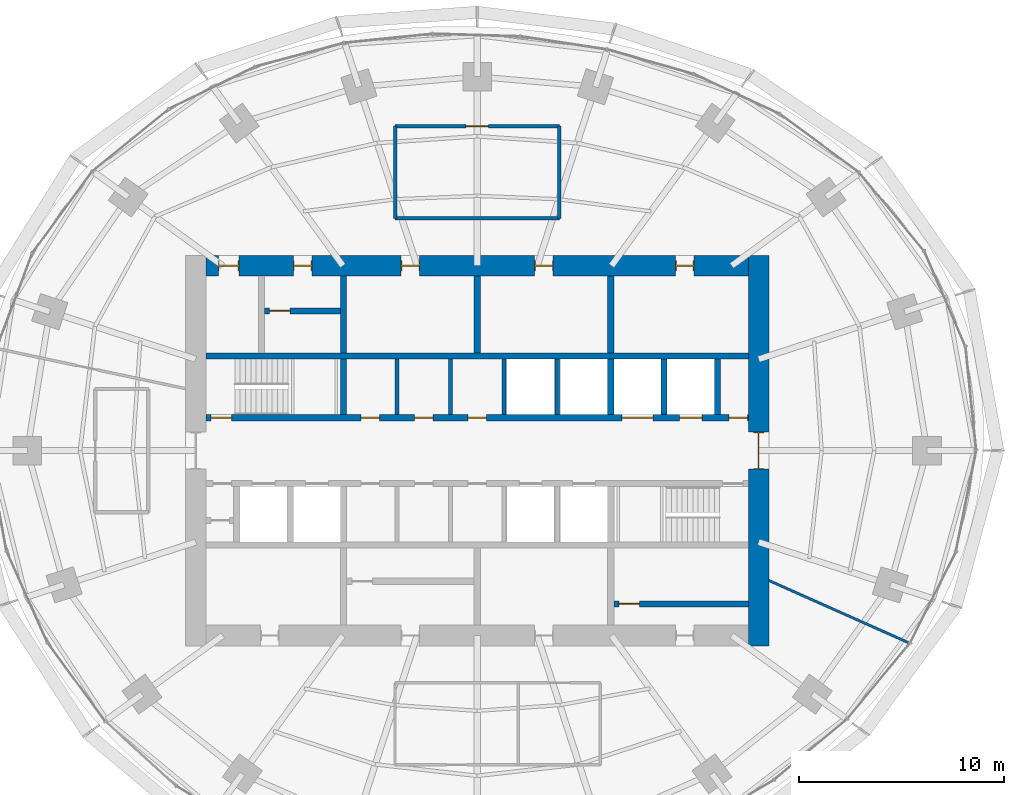
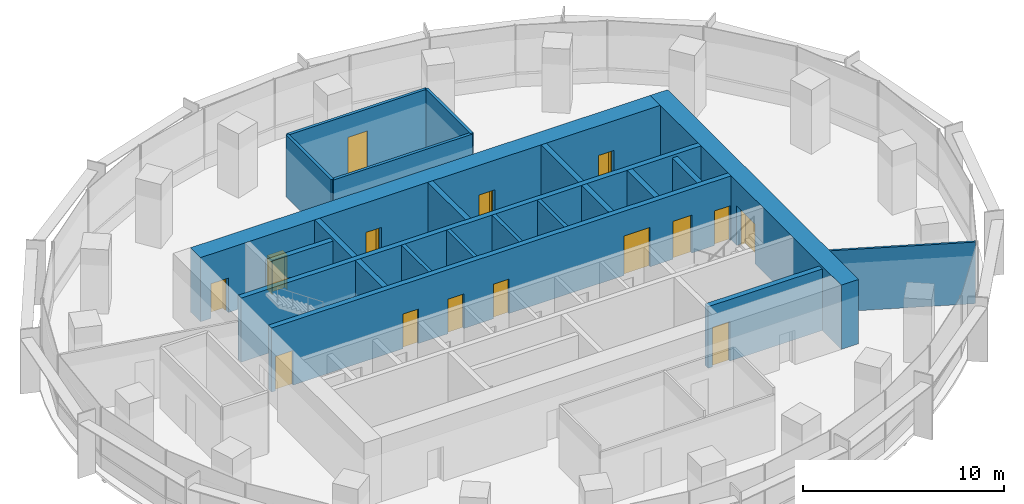
# One storey, part 11 of 14: 22 walls, 16 doors, 16 openings.
"""IFC4 building model written with IfcOpenShell, lengths in metres."""

from ifc_helpers import new_model, si_unit, direction, frame, frame_2d, origin, place, context, subcontext, project, spatial, rectangle, extrude, material, layer, layer_set, type_object, element, fill, save


model = new_model("IFC4")

# Units and contexts
model_context = context("Model", 3, precision=1e-05, world=origin(), true_north=direction((0.0, 1.0)))
body_context = subcontext(model_context, "Body", "Model", "MODEL_VIEW")
ifc_project = project(units=[si_unit("LENGTHUNIT", "METRE"), si_unit("AREAUNIT", "SQUARE_METRE"), si_unit("VOLUMEUNIT", "CUBIC_METRE"), si_unit("PLANEANGLEUNIT", "RADIAN"), si_unit("MASSUNIT", "GRAM", prefix="KILO")], contexts=[model_context])

# Site, building, storey
site_placement = place(None, origin())
site = spatial("IfcSite", under=ifc_project, at=site_placement, CompositionType="ELEMENT")
building_placement = place(site_placement, origin())
building = spatial("IfcBuilding", under=site, at=building_placement, Name="Marramba Exchange Tower", CompositionType="ELEMENT")
storey_placement = place(building_placement, frame((0.0, 0.0, 222.800048828125)))
storey = spatial("IfcBuildingStorey", under=building, at=storey_placement, Name="L54", CompositionType="ELEMENT", Elevation=222.800048828125)

# Wall
ifc_material_1 = material(Name="Plasterboard on staggered double steel studs, acoustic insulation", Category="steel")
ifc_layer_1 = layer(ifc_material_1, 0.169921875)
ifc_layer_set_1 = layer_set([ifc_layer_1], Name="Acoustic partition 170")
wall_type_1 = type_object("IfcWallType", Name="Acoustic partition 170", PredefinedType="PARTITIONING", material=ifc_layer_set_1)
wall_1_placement = place(storey_placement, frame((4.0, 15.800048828125, 0.0), z_axis=(0.0, 0.0, 1.0), x_axis=(0.0, -1.0, 0.0)))
element("IfcWall", 1, at=wall_1_placement, inside=storey, type_object=wall_type_1, Name="Acoustic partition L54 08", PredefinedType="PARTITIONING", context=body_context, shape_type="SweptSolid", body=[
    extrude(rectangle(XDim=4.5, YDim=0.169921875, at=frame_2d((2.25, 0.0))), origin(), (0.0, 0.0, 1.0), 3.739990234375),
])

# Wall, opening, door
wall_2_placement = place(storey_placement, frame((-4.0, 15.800048828125, 0.0), z_axis=(0.0, 0.0, 1.0), x_axis=(1.0, 0.0, 0.0)))
wall_2 = element("IfcWall", 2, at=wall_2_placement, inside=storey, type_object=wall_type_1, Name="Acoustic partition L54 09", PredefinedType="PARTITIONING", context=body_context, shape_type="SweptSolid", body=[
    extrude(rectangle(XDim=8.0, YDim=0.169921875, at=frame_2d((4.0, 0.0))), origin(), (0.0, 0.0, 1.0), 3.739990234375),
])
opening_1_placement = place(wall_2_placement, frame((3.449951171875, 0.0, 0.0)))
opening_1 = element("IfcOpeningElement", 3, at=opening_1_placement, cuts=wall_2, Name="Opening D15", PredefinedType="OPENING", context=body_context, shape_type="SweptSolid", body=[
    extrude(rectangle(XDim=1.10009765625, YDim=2.39990234375, at=frame_2d((0.550048828125, 1.199951171875))), frame((0.0, 0.094970703125, 0.0), z_axis=(0.0, -1.0, 0.0), x_axis=(1.0, 0.0, 0.0)), (0.0, 0.0, 1.0), 0.18994140625),
])
ifc_material_2 = material(Name="Timber door", Category="wood")
door_type_1 = type_object("IfcDoorType", Name="Glazed meeting room door 1100x2400", OperationType="SINGLE_SWING_LEFT", PredefinedType="DOOR", material=ifc_material_2)
door_1_placement = place(opening_1_placement, frame((1.10009765625, 0.0, 0.0), z_axis=(0.0, 0.0, 1.0), x_axis=(-1.0, 0.0, 0.0)))
door_1 = element("IfcDoor", 4, at=door_1_placement, inside=storey, type_object=door_type_1, Name="D15 Meeting Room L54", OperationType="SINGLE_SWING_RIGHT", OverallHeight=2.39990234375, OverallWidth=1.10009765625, PredefinedType="DOOR", context=body_context, shape_type="SweptSolid", body=[
    extrude(rectangle(XDim=1.10009765625, YDim=2.39990234375, at=frame_2d((0.550048828125, 1.199951171875))), frame((0.0, 0.025146484375, 0.0), z_axis=(0.0, -1.0, 0.0), x_axis=(1.0, 0.0, 0.0)), (0.0, 0.0, 1.0), 0.050048828125),
])
fill(opening_1, door_1)

# Walls
wall_3_placement = place(storey_placement, frame((4.0, 11.300048828125, 0.0), z_axis=(0.0, 0.0, 1.0), x_axis=(-1.0, 0.0, 0.0)))
element("IfcWall", 5, at=wall_3_placement, inside=storey, type_object=wall_type_1, Name="Acoustic partition L54 10", PredefinedType="PARTITIONING", context=body_context, shape_type="SweptSolid", body=[
    extrude(rectangle(XDim=8.0, YDim=0.169921875, at=frame_2d((4.0, 0.0))), origin(), (0.0, 0.0, 1.0), 3.739990234375),
])
wall_4_placement = place(storey_placement, frame((-4.0, 11.300048828125, 0.0), z_axis=(0.0, 0.0, 1.0), x_axis=(0.0, 1.0, 0.0)))
element("IfcWall", 6, at=wall_4_placement, inside=storey, type_object=wall_type_1, Name="Acoustic partition L54 11", PredefinedType="PARTITIONING", context=body_context, shape_type="SweptSolid", body=[
    extrude(rectangle(XDim=4.5, YDim=0.169921875, at=frame_2d((2.25, 0.0))), origin(), (0.0, 0.0, 1.0), 3.739990234375),
])
ifc_material_3 = material(Name="Concrete N50", Category="concrete")
ifc_layer_2 = layer(ifc_material_3, 0.199951171875)
ifc_layer_set_2 = layer_set([ifc_layer_2], Name="Core shaft wall 200")
wall_type_2 = type_object("IfcWallType", Name="Core shaft wall 200", PredefinedType="SHEAR", material=ifc_layer_set_2)
for number, where, z_axis, x_axis, name in (
    (7, (-3.89990234375, 1.75, 0.0), (0.0, 0.0, 1.0), (0.0, 1.0, 0.0), "Core wall SHN1 L54"),
    (8, (-1.300048828125, 1.75, 0.0), (0.0, 0.0, 1.0), (0.0, 1.0, 0.0), "Core wall SHN2 L54"),
    (9, (1.300048828125, 1.75, 0.0), (0.0, 0.0, 1.0), (0.0, 1.0, 0.0), "Core wall SHN3 L54"),
    (10, (3.89990234375, 1.75, 0.0), (0.0, 0.0, 1.0), (0.0, 1.0, 0.0), "Core wall SHN4 L54"),
):
    element("IfcWall", number, at=place(storey_placement, frame(where, z_axis=z_axis, x_axis=x_axis)), inside=storey, type_object=wall_type_2, Name=name, PredefinedType="SHEAR", context=body_context, shape_type="SweptSolid", body=[
        extrude(rectangle(XDim=2.699951171875, YDim=0.199951171875, at=frame_2d((1.35009765625, 0.0))), origin(), (0.0, 0.0, 1.0), 3.89990234375),
    ])

# Wall, openings, doors
ifc_layer_3 = layer(ifc_material_3, 1.0)
ifc_layer_set_3 = layer_set([ifc_layer_3], Name="Core wall 1000")
wall_type_3 = type_object("IfcWallType", Name="Core wall 1000", PredefinedType="SHEAR", material=ifc_layer_set_3)
wall_5_placement = place(storey_placement, frame((13.199951171875, 9.0, 0.0), z_axis=(0.0, 0.0, 1.0), x_axis=(-1.0, 0.0, 0.0)))
wall_5 = element("IfcWall", 11, at=wall_5_placement, inside=storey, type_object=wall_type_3, Name="Core wall N L54", PredefinedType="SHEAR", context=body_context, shape_type="SweptSolid", body=[
    extrude(rectangle(XDim=26.39990234375, YDim=1.0, at=frame_2d((13.199951171875, 0.0))), origin(), (0.0, 0.0, 1.0), 3.89990234375),
])
opening_2_placement = place(wall_5_placement, frame((2.64990234375, 0.0, 0.0)))
opening_2 = element("IfcOpeningElement", 12, at=opening_2_placement, cuts=wall_5, Name="Opening D5", PredefinedType="OPENING", context=body_context, shape_type="SweptSolid", body=[
    extrude(rectangle(XDim=0.89990234375, YDim=2.10009765625, at=frame_2d((0.449951171875, 1.050048828125))), frame((0.0, 0.510009765625, 0.0), z_axis=(0.0, -1.0, 0.0), x_axis=(1.0, 0.0, 0.0)), (0.0, 0.0, 1.0), 1.02001953125),
])
opening_3_placement = place(wall_5_placement, frame((9.5, 0.0, 0.0)))
opening_3 = element("IfcOpeningElement", 13, at=opening_3_placement, cuts=wall_5, Name="Opening D3", PredefinedType="OPENING", context=body_context, shape_type="SweptSolid", body=[
    extrude(rectangle(XDim=0.89990234375, YDim=2.10009765625, at=frame_2d((0.449951171875, 1.050048828125))), frame((0.0, 0.510009765625, 0.0), z_axis=(0.0, -1.0, 0.0), x_axis=(1.0, 0.0, 0.0)), (0.0, 0.0, 1.0), 1.02001953125),
])
opening_4_placement = place(wall_5_placement, frame((16.0, 0.0, 0.0)))
opening_4 = element("IfcOpeningElement", 14, at=opening_4_placement, cuts=wall_5, Name="Opening D3", PredefinedType="OPENING", context=body_context, shape_type="SweptSolid", body=[
    extrude(rectangle(XDim=0.89990234375, YDim=2.10009765625, at=frame_2d((0.449951171875, 1.050048828125))), frame((0.0, 0.510009765625, 0.0), z_axis=(0.0, -1.0, 0.0), x_axis=(1.0, 0.0, 0.0)), (0.0, 0.0, 1.0), 1.02001953125),
])
opening_5_placement = place(wall_5_placement, frame((21.25, 0.0, 0.0)))
opening_5 = element("IfcOpeningElement", 15, at=opening_5_placement, cuts=wall_5, Name="Opening D5", PredefinedType="OPENING", context=body_context, shape_type="SweptSolid", body=[
    extrude(rectangle(XDim=0.89990234375, YDim=2.10009765625, at=frame_2d((0.449951171875, 1.050048828125))), frame((0.0, 0.510009765625, 0.0), z_axis=(0.0, -1.0, 0.0), x_axis=(1.0, 0.0, 0.0)), (0.0, 0.0, 1.0), 1.02001953125),
])
opening_6_placement = place(wall_5_placement, frame((24.800048828125, 0.0, 0.0)))
opening_6 = element("IfcOpeningElement", 16, at=opening_6_placement, cuts=wall_5, Name="Opening D4", PredefinedType="OPENING", context=body_context, shape_type="SweptSolid", body=[
    extrude(rectangle(XDim=1.0, YDim=2.10009765625, at=frame_2d((0.5, 1.050048828125))), frame((0.0, 0.510009765625, 0.0), z_axis=(0.0, -1.0, 0.0), x_axis=(1.0, 0.0, 0.0)), (0.0, 0.0, 1.0), 1.02001953125),
])
ifc_material_4 = material(Name="Steel-framed door", Category="steel")
door_type_2 = type_object("IfcDoorType", Name="Accessible toilet door 1000x2100", OperationType="SINGLE_SWING_LEFT", PredefinedType="DOOR", material=ifc_material_4)
door_2_placement = place(opening_6_placement, origin())
door_2 = element("IfcDoor", 17, at=door_2_placement, inside=storey, type_object=door_type_2, Name="D4 awc L54", OperationType="SINGLE_SWING_RIGHT", OverallHeight=2.10009765625, OverallWidth=1.0, PredefinedType="DOOR", context=body_context, shape_type="SweptSolid", body=[
    extrude(rectangle(XDim=0.919921875, YDim=2.06005859375, at=frame_2d((0.5, 1.030029296875))), frame((0.0, 0.02490234375, 0.0), z_axis=(0.0, -1.0, 0.0), x_axis=(1.0, 0.0, 0.0)), (0.0, 0.0, 1.0), 0.050048828125),
    extrude(rectangle(XDim=0.04, YDim=2.10009765625, at=frame_2d((0.02001953125, 1.050048828125))), frame((0.0, 0.25, 0.0), z_axis=(0.0, -1.0, 0.0), x_axis=(1.0, 0.0, 0.0)), (0.0, 0.0, 1.0), 0.5),
    extrude(rectangle(XDim=0.04, YDim=2.10009765625, at=frame_2d((0.97998046875, 1.050048828125))), frame((0.0, 0.25, 0.0), z_axis=(0.0, -1.0, 0.0), x_axis=(1.0, 0.0, 0.0)), (0.0, 0.0, 1.0), 0.5),
    extrude(rectangle(XDim=0.919921875, YDim=0.04, at=frame_2d((0.5, 2.080078125))), frame((0.0, 0.25, 0.0), z_axis=(0.0, -1.0, 0.0), x_axis=(1.0, 0.0, 0.0)), (0.0, 0.0, 1.0), 0.5),
])
fill(opening_6, door_2)
door_type_3 = type_object("IfcDoorType", Name="Service door 900x2100", OperationType="SINGLE_SWING_LEFT", PredefinedType="DOOR", material=ifc_material_4)
door_3_placement = place(opening_2_placement, origin())
door_3 = element("IfcDoor", 18, at=door_3_placement, inside=storey, type_object=door_type_3, Name="D5 comms L54", OperationType="SINGLE_SWING_LEFT", OverallHeight=2.10009765625, OverallWidth=0.89990234375, PredefinedType="DOOR", context=body_context, shape_type="SweptSolid", body=[
    extrude(rectangle(XDim=0.81982421875, YDim=2.06005859375, at=frame_2d((0.449951171875, 1.030029296875))), frame((0.0, 0.02490234375, 0.0), z_axis=(0.0, -1.0, 0.0), x_axis=(1.0, 0.0, 0.0)), (0.0, 0.0, 1.0), 0.050048828125),
    extrude(rectangle(XDim=0.04, YDim=2.10009765625, at=frame_2d((0.02001953125, 1.050048828125))), frame((0.0, 0.25, 0.0), z_axis=(0.0, -1.0, 0.0), x_axis=(1.0, 0.0, 0.0)), (0.0, 0.0, 1.0), 0.5),
    extrude(rectangle(XDim=0.04, YDim=2.10009765625, at=frame_2d((0.8798828125, 1.050048828125))), frame((0.0, 0.25, 0.0), z_axis=(0.0, -1.0, 0.0), x_axis=(1.0, 0.0, 0.0)), (0.0, 0.0, 1.0), 0.5),
    extrude(rectangle(XDim=0.81982421875, YDim=0.04, at=frame_2d((0.449951171875, 2.080078125))), frame((0.0, 0.25, 0.0), z_axis=(0.0, -1.0, 0.0), x_axis=(1.0, 0.0, 0.0)), (0.0, 0.0, 1.0), 0.5),
])
fill(opening_2, door_3)
door_4_placement = place(opening_5_placement, origin())
door_4 = element("IfcDoor", 19, at=door_4_placement, inside=storey, type_object=door_type_3, Name="D5 cleaner L54", OperationType="SINGLE_SWING_RIGHT", OverallHeight=2.10009765625, OverallWidth=0.89990234375, PredefinedType="DOOR", context=body_context, shape_type="SweptSolid", body=[
    extrude(rectangle(XDim=0.81982421875, YDim=2.06005859375, at=frame_2d((0.449951171875, 1.030029296875))), frame((0.0, 0.02490234375, 0.0), z_axis=(0.0, -1.0, 0.0), x_axis=(1.0, 0.0, 0.0)), (0.0, 0.0, 1.0), 0.050048828125),
    extrude(rectangle(XDim=0.04, YDim=2.10009765625, at=frame_2d((0.02001953125, 1.050048828125))), frame((0.0, 0.25, 0.0), z_axis=(0.0, -1.0, 0.0), x_axis=(1.0, 0.0, 0.0)), (0.0, 0.0, 1.0), 0.5),
    extrude(rectangle(XDim=0.04, YDim=2.10009765625, at=frame_2d((0.8798828125, 1.050048828125))), frame((0.0, 0.25, 0.0), z_axis=(0.0, -1.0, 0.0), x_axis=(1.0, 0.0, 0.0)), (0.0, 0.0, 1.0), 0.5),
    extrude(rectangle(XDim=0.81982421875, YDim=0.04, at=frame_2d((0.449951171875, 2.080078125))), frame((0.0, 0.25, 0.0), z_axis=(0.0, -1.0, 0.0), x_axis=(1.0, 0.0, 0.0)), (0.0, 0.0, 1.0), 0.5),
])
fill(opening_5, door_4)
door_type_4 = type_object("IfcDoorType", Name="Toilet door 900x2100", OperationType="SINGLE_SWING_LEFT", PredefinedType="DOOR", material=ifc_material_4)
door_5_placement = place(opening_3_placement, origin())
door_5 = element("IfcDoor", 20, at=door_5_placement, inside=storey, type_object=door_type_4, Name="D3 wc-f L54", OperationType="SINGLE_SWING_RIGHT", OverallHeight=2.10009765625, OverallWidth=0.89990234375, PredefinedType="DOOR", context=body_context, shape_type="SweptSolid", body=[
    extrude(rectangle(XDim=0.81982421875, YDim=2.06005859375, at=frame_2d((0.449951171875, 1.030029296875))), frame((0.0, 0.02490234375, 0.0), z_axis=(0.0, -1.0, 0.0), x_axis=(1.0, 0.0, 0.0)), (0.0, 0.0, 1.0), 0.050048828125),
    extrude(rectangle(XDim=0.04, YDim=2.10009765625, at=frame_2d((0.02001953125, 1.050048828125))), frame((0.0, 0.25, 0.0), z_axis=(0.0, -1.0, 0.0), x_axis=(1.0, 0.0, 0.0)), (0.0, 0.0, 1.0), 0.5),
    extrude(rectangle(XDim=0.04, YDim=2.10009765625, at=frame_2d((0.8798828125, 1.050048828125))), frame((0.0, 0.25, 0.0), z_axis=(0.0, -1.0, 0.0), x_axis=(1.0, 0.0, 0.0)), (0.0, 0.0, 1.0), 0.5),
    extrude(rectangle(XDim=0.81982421875, YDim=0.04, at=frame_2d((0.449951171875, 2.080078125))), frame((0.0, 0.25, 0.0), z_axis=(0.0, -1.0, 0.0), x_axis=(1.0, 0.0, 0.0)), (0.0, 0.0, 1.0), 0.5),
])
fill(opening_3, door_5)
door_6_placement = place(opening_4_placement, origin())
door_6 = element("IfcDoor", 21, at=door_6_placement, inside=storey, type_object=door_type_4, Name="D3 wc-m L54", OperationType="SINGLE_SWING_RIGHT", OverallHeight=2.10009765625, OverallWidth=0.89990234375, PredefinedType="DOOR", context=body_context, shape_type="SweptSolid", body=[
    extrude(rectangle(XDim=0.81982421875, YDim=2.06005859375, at=frame_2d((0.449951171875, 1.030029296875))), frame((0.0, 0.02490234375, 0.0), z_axis=(0.0, -1.0, 0.0), x_axis=(1.0, 0.0, 0.0)), (0.0, 0.0, 1.0), 0.050048828125),
    extrude(rectangle(XDim=0.04, YDim=2.10009765625, at=frame_2d((0.02001953125, 1.050048828125))), frame((0.0, 0.25, 0.0), z_axis=(0.0, -1.0, 0.0), x_axis=(1.0, 0.0, 0.0)), (0.0, 0.0, 1.0), 0.5),
    extrude(rectangle(XDim=0.04, YDim=2.10009765625, at=frame_2d((0.8798828125, 1.050048828125))), frame((0.0, 0.25, 0.0), z_axis=(0.0, -1.0, 0.0), x_axis=(1.0, 0.0, 0.0)), (0.0, 0.0, 1.0), 0.5),
    extrude(rectangle(XDim=0.81982421875, YDim=0.04, at=frame_2d((0.449951171875, 2.080078125))), frame((0.0, 0.25, 0.0), z_axis=(0.0, -1.0, 0.0), x_axis=(1.0, 0.0, 0.0)), (0.0, 0.0, 1.0), 0.5),
])
fill(opening_4, door_6)

# Wall, opening, door
wall_6_placement = place(storey_placement, frame((13.699951171875, -9.5, 0.0), z_axis=(0.0, 0.0, 1.0), x_axis=(0.0, 1.0, 0.0)))
wall_6 = element("IfcWall", 22, at=wall_6_placement, inside=storey, type_object=wall_type_3, Name="Core wall E L54", PredefinedType="SHEAR", context=body_context, shape_type="SweptSolid", body=[
    extrude(rectangle(XDim=19.0, YDim=1.0, at=frame_2d((9.5, 0.0))), origin(), (0.0, 0.0, 1.0), 3.89990234375),
])
opening_7_placement = place(wall_6_placement, frame((8.60009765625, 0.0, 0.0)))
opening_7 = element("IfcOpeningElement", 23, at=opening_7_placement, cuts=wall_6, Name="Opening D1", PredefinedType="OPENING", context=body_context, shape_type="SweptSolid", body=[
    extrude(rectangle(XDim=1.800048828125, YDim=2.39990234375, at=frame_2d((0.89990234375, 1.199951171875))), frame((0.0, 0.510009765625, 0.0), z_axis=(0.0, -1.0, 0.0), x_axis=(1.0, 0.0, 0.0)), (0.0, 0.0, 1.0), 1.02001953125),
])
door_type_5 = type_object("IfcDoorType", Name="Lobby exit door 1800x2400", OperationType="DOUBLE_DOOR_SINGLE_SWING", PredefinedType="DOOR", material=ifc_material_4)
door_7_placement = place(opening_7_placement, origin())
door_7 = element("IfcDoor", 24, at=door_7_placement, inside=storey, type_object=door_type_5, Name="D1 lobby exit east L54", OperationType="DOUBLE_DOOR_SINGLE_SWING", OverallHeight=2.39990234375, OverallWidth=1.800048828125, PredefinedType="DOOR", context=body_context, shape_type="SweptSolid", body=[
    extrude(rectangle(XDim=1.719970703125, YDim=2.35986328125, at=frame_2d((0.89990234375, 1.179931640625))), frame((0.0, 0.02490234375, 0.0), z_axis=(0.0, -1.0, 0.0), x_axis=(1.0, 0.0, 0.0)), (0.0, 0.0, 1.0), 0.050048828125),
    extrude(rectangle(XDim=0.04, YDim=2.39990234375, at=frame_2d((0.02001953125, 1.199951171875))), frame((0.0, 0.25, 0.0), z_axis=(0.0, -1.0, 0.0), x_axis=(1.0, 0.0, 0.0)), (0.0, 0.0, 1.0), 0.5),
    extrude(rectangle(XDim=0.04, YDim=2.39990234375, at=frame_2d((1.780029296875, 1.199951171875))), frame((0.0, 0.25, 0.0), z_axis=(0.0, -1.0, 0.0), x_axis=(1.0, 0.0, 0.0)), (0.0, 0.0, 1.0), 0.5),
    extrude(rectangle(XDim=1.719970703125, YDim=0.04, at=frame_2d((0.89990234375, 2.3798828125))), frame((0.0, 0.25, 0.0), z_axis=(0.0, -1.0, 0.0), x_axis=(1.0, 0.0, 0.0)), (0.0, 0.0, 1.0), 0.5),
])
fill(opening_7, door_7)

# Wall, openings, doors
ifc_layer_4 = layer(ifc_material_3, 0.300048828125)
ifc_layer_set_4 = layer_set([ifc_layer_4], Name="Core wall 300")
wall_type_4 = type_object("IfcWallType", Name="Core wall 300", PredefinedType="SHEAR", material=ifc_layer_set_4)
wall_7_placement = place(storey_placement, frame((-13.199951171875, 1.60009765625, 0.0), z_axis=(0.0, 0.0, 1.0), x_axis=(1.0, 0.0, 0.0)))
wall_7 = element("IfcWall", 25, at=wall_7_placement, inside=storey, type_object=wall_type_4, Name="Core wall LN L54", PredefinedType="SHEAR", context=body_context, shape_type="SweptSolid", body=[
    extrude(rectangle(XDim=26.39990234375, YDim=0.300048828125, at=frame_2d((13.199951171875, 0.0))), origin(), (0.0, 0.0, 1.0), 3.89990234375),
])
opening_8_placement = place(wall_7_placement, frame((0.25, 0.0, 0.0)))
opening_8 = element("IfcOpeningElement", 26, at=opening_8_placement, cuts=wall_7, Name="Opening D2", PredefinedType="OPENING", context=body_context, shape_type="SweptSolid", body=[
    extrude(rectangle(XDim=1.0, YDim=2.10009765625, at=frame_2d((0.5, 1.050048828125))), frame((0.0, 0.159912109375, 0.0), z_axis=(0.0, -1.0, 0.0), x_axis=(1.0, 0.0, 0.0)), (0.0, 0.0, 1.0), 0.320068359375),
])
opening_9_placement = place(wall_7_placement, frame((23.050048828125, 0.0, 0.0)))
opening_9 = element("IfcOpeningElement", 27, at=opening_9_placement, cuts=wall_7, Name="Opening LD1", PredefinedType="OPENING", context=body_context, shape_type="SweptSolid", body=[
    extrude(rectangle(XDim=1.10009765625, YDim=2.300048828125, at=frame_2d((0.550048828125, 1.14990234375))), frame((0.0, 0.159912109375, 0.0), z_axis=(0.0, -1.0, 0.0), x_axis=(1.0, 0.0, 0.0)), (0.0, 0.0, 1.0), 0.320068359375),
])
opening_10_placement = place(wall_7_placement, frame((20.25, 0.0, 0.0)))
opening_10 = element("IfcOpeningElement", 28, at=opening_10_placement, cuts=wall_7, Name="Opening LD3", PredefinedType="OPENING", context=body_context, shape_type="SweptSolid", body=[
    extrude(rectangle(XDim=1.5, YDim=2.39990234375, at=frame_2d((0.75, 1.199951171875))), frame((0.0, 0.159912109375, 0.0), z_axis=(0.0, -1.0, 0.0), x_axis=(1.0, 0.0, 0.0)), (0.0, 0.0, 1.0), 0.320068359375),
])
opening_11_placement = place(wall_7_placement, frame((7.550048828125, 0.0, 0.0)))
opening_11 = element("IfcOpeningElement", 29, at=opening_11_placement, cuts=wall_7, Name="Opening D5", PredefinedType="OPENING", context=body_context, shape_type="SweptSolid", body=[
    extrude(rectangle(XDim=0.89990234375, YDim=2.10009765625, at=frame_2d((0.449951171875, 1.050048828125))), frame((0.0, 0.159912109375, 0.0), z_axis=(0.0, -1.0, 0.0), x_axis=(1.0, 0.0, 0.0)), (0.0, 0.0, 1.0), 0.320068359375),
])
opening_12_placement = place(wall_7_placement, frame((10.14990234375, 0.0, 0.0)))
opening_12 = element("IfcOpeningElement", 30, at=opening_12_placement, cuts=wall_7, Name="Opening D5", PredefinedType="OPENING", context=body_context, shape_type="SweptSolid", body=[
    extrude(rectangle(XDim=0.89990234375, YDim=2.10009765625, at=frame_2d((0.449951171875, 1.050048828125))), frame((0.0, 0.159912109375, 0.0), z_axis=(0.0, -1.0, 0.0), x_axis=(1.0, 0.0, 0.0)), (0.0, 0.0, 1.0), 0.320068359375),
])
opening_13_placement = place(wall_7_placement, frame((12.75, 0.0, 0.0)))
opening_13 = element("IfcOpeningElement", 31, at=opening_13_placement, cuts=wall_7, Name="Opening D5", PredefinedType="OPENING", context=body_context, shape_type="SweptSolid", body=[
    extrude(rectangle(XDim=0.89990234375, YDim=2.10009765625, at=frame_2d((0.449951171875, 1.050048828125))), frame((0.0, 0.159912109375, 0.0), z_axis=(0.0, -1.0, 0.0), x_axis=(1.0, 0.0, 0.0)), (0.0, 0.0, 1.0), 0.320068359375),
])
opening_14_placement = place(wall_7_placement, frame((25.449951171875, 0.0, 0.0)))
opening_14 = element("IfcOpeningElement", 32, at=opening_14_placement, cuts=wall_7, Name="Opening D5", PredefinedType="OPENING", context=body_context, shape_type="SweptSolid", body=[
    extrude(rectangle(XDim=0.89990234375, YDim=2.10009765625, at=frame_2d((0.449951171875, 1.050048828125))), frame((0.0, 0.159912109375, 0.0), z_axis=(0.0, -1.0, 0.0), x_axis=(1.0, 0.0, 0.0)), (0.0, 0.0, 1.0), 0.320068359375),
])
door_type_6 = type_object("IfcDoorType", Name="Goods lift landing door 1500x2400", OperationType="SLIDING_TO_LEFT", PredefinedType="DOOR", material=ifc_material_4)
door_8_placement = place(opening_10_placement, origin())
door_8 = element("IfcDoor", 33, at=door_8_placement, inside=storey, type_object=door_type_6, Name="GL1 landing door L54", OperationType="SLIDING_TO_LEFT", OverallHeight=2.39990234375, OverallWidth=1.5, PredefinedType="DOOR", context=body_context, shape_type="SweptSolid", body=[
    extrude(rectangle(XDim=1.5, YDim=2.39990234375, at=frame_2d((0.75, 1.199951171875))), frame((0.0, 0.02490234375, 0.0), z_axis=(0.0, -1.0, 0.0), x_axis=(1.0, 0.0, 0.0)), (0.0, 0.0, 1.0), 0.050048828125),
])
fill(opening_10, door_8)
door_type_7 = type_object("IfcDoorType", Name="Lift landing door 1100x2300", OperationType="SLIDING_TO_LEFT", PredefinedType="DOOR", material=ifc_material_4)
door_9_placement = place(opening_9_placement, origin())
door_9 = element("IfcDoor", 34, at=door_9_placement, inside=storey, type_object=door_type_7, Name="LC3 landing door L54", OperationType="SLIDING_TO_LEFT", OverallHeight=2.300048828125, OverallWidth=1.10009765625, PredefinedType="DOOR", context=body_context, shape_type="SweptSolid", body=[
    extrude(rectangle(XDim=1.10009765625, YDim=2.300048828125, at=frame_2d((0.550048828125, 1.14990234375))), frame((0.0, 0.02490234375, 0.0), z_axis=(0.0, -1.0, 0.0), x_axis=(1.0, 0.0, 0.0)), (0.0, 0.0, 1.0), 0.050048828125),
])
fill(opening_9, door_9)
door_10_placement = place(opening_11_placement, origin())
door_10 = element("IfcDoor", 35, at=door_10_placement, inside=storey, type_object=door_type_3, Name="D5 stationery store L54", OperationType="SINGLE_SWING_RIGHT", OverallHeight=2.10009765625, OverallWidth=0.89990234375, PredefinedType="DOOR", context=body_context, shape_type="SweptSolid", body=[
    extrude(rectangle(XDim=0.89990234375, YDim=2.10009765625, at=frame_2d((0.449951171875, 1.050048828125))), frame((0.0, 0.02490234375, 0.0), z_axis=(0.0, -1.0, 0.0), x_axis=(1.0, 0.0, 0.0)), (0.0, 0.0, 1.0), 0.050048828125),
])
fill(opening_11, door_10)
door_11_placement = place(opening_12_placement, origin())
door_11 = element("IfcDoor", 36, at=door_11_placement, inside=storey, type_object=door_type_3, Name="D5 switch room L54", OperationType="SINGLE_SWING_RIGHT", OverallHeight=2.10009765625, OverallWidth=0.89990234375, PredefinedType="DOOR", context=body_context, shape_type="SweptSolid", body=[
    extrude(rectangle(XDim=0.89990234375, YDim=2.10009765625, at=frame_2d((0.449951171875, 1.050048828125))), frame((0.0, 0.02490234375, 0.0), z_axis=(0.0, -1.0, 0.0), x_axis=(1.0, 0.0, 0.0)), (0.0, 0.0, 1.0), 0.050048828125),
])
fill(opening_12, door_11)
door_12_placement = place(opening_13_placement, origin())
door_12 = element("IfcDoor", 37, at=door_12_placement, inside=storey, type_object=door_type_3, Name="D5 tea point L54", OperationType="SINGLE_SWING_RIGHT", OverallHeight=2.10009765625, OverallWidth=0.89990234375, PredefinedType="DOOR", context=body_context, shape_type="SweptSolid", body=[
    extrude(rectangle(XDim=0.89990234375, YDim=2.10009765625, at=frame_2d((0.449951171875, 1.050048828125))), frame((0.0, 0.02490234375, 0.0), z_axis=(0.0, -1.0, 0.0), x_axis=(1.0, 0.0, 0.0)), (0.0, 0.0, 1.0), 0.050048828125),
])
fill(opening_13, door_12)
door_13_placement = place(opening_14_placement, origin())
door_13 = element("IfcDoor", 38, at=door_13_placement, inside=storey, type_object=door_type_3, Name="D5 riser L54", OperationType="SINGLE_SWING_RIGHT", OverallHeight=2.10009765625, OverallWidth=0.89990234375, PredefinedType="DOOR", context=body_context, shape_type="SweptSolid", body=[
    extrude(rectangle(XDim=0.89990234375, YDim=2.10009765625, at=frame_2d((0.449951171875, 1.050048828125))), frame((0.0, 0.02490234375, 0.0), z_axis=(0.0, -1.0, 0.0), x_axis=(1.0, 0.0, 0.0)), (0.0, 0.0, 1.0), 0.050048828125),
])
fill(opening_14, door_13)
door_type_8 = type_object("IfcDoorType", Name="Stair door 1000x2100", OperationType="SINGLE_SWING_LEFT", PredefinedType="DOOR", material=ifc_material_4)
door_14_placement = place(opening_8_placement, origin())
door_14 = element("IfcDoor", 39, at=door_14_placement, inside=storey, type_object=door_type_8, Name="D2 stair ST1 L54", OperationType="SINGLE_SWING_LEFT", OverallHeight=2.10009765625, OverallWidth=1.0, PredefinedType="DOOR", context=body_context, shape_type="SweptSolid", body=[
    extrude(rectangle(XDim=1.0, YDim=2.10009765625, at=frame_2d((0.5, 1.050048828125))), frame((0.0, 0.02490234375, 0.0), z_axis=(0.0, -1.0, 0.0), x_axis=(1.0, 0.0, 0.0)), (0.0, 0.0, 1.0), 0.050048828125),
])
fill(opening_8, door_14)

# Walls
wall_8_placement = place(storey_placement, frame((-13.199951171875, 4.60009765625, 0.0), z_axis=(0.0, 0.0, 1.0), x_axis=(1.0, 0.0, 0.0)))
element("IfcWall", 40, at=wall_8_placement, inside=storey, type_object=wall_type_4, Name="Core wall BN L54", PredefinedType="SHEAR", context=body_context, shape_type="SweptSolid", body=[
    extrude(rectangle(XDim=26.39990234375, YDim=0.300048828125, at=frame_2d((13.199951171875, 0.0))), origin(), (0.0, 0.0, 1.0), 3.89990234375),
])
wall_9_placement = place(storey_placement, frame((-6.5, 1.75, 0.0), z_axis=(0.0, 0.0, 1.0), x_axis=(0.0, 1.0, 0.0)))
element("IfcWall", 41, at=wall_9_placement, inside=storey, type_object=wall_type_4, Name="Core wall X0Na L54", PredefinedType="SHEAR", context=body_context, shape_type="SweptSolid", body=[
    extrude(rectangle(XDim=2.699951171875, YDim=0.300048828125, at=frame_2d((1.35009765625, 0.0))), origin(), (0.0, 0.0, 1.0), 3.89990234375),
])
wall_10_placement = place(storey_placement, frame((-6.5, 4.75, 0.0), z_axis=(0.0, 0.0, 1.0), x_axis=(0.0, 1.0, 0.0)))
element("IfcWall", 42, at=wall_10_placement, inside=storey, type_object=wall_type_4, Name="Core wall X0Nb L54", PredefinedType="SHEAR", context=body_context, shape_type="SweptSolid", body=[
    extrude(rectangle(XDim=3.75, YDim=0.300048828125, at=frame_2d((1.875, 0.0))), origin(), (0.0, 0.0, 1.0), 3.89990234375),
])
wall_11_placement = place(storey_placement, frame((6.5, 1.75, 0.0), z_axis=(0.0, 0.0, 1.0), x_axis=(0.0, 1.0, 0.0)))
element("IfcWall", 43, at=wall_11_placement, inside=storey, type_object=wall_type_4, Name="Core wall X1Na L54", PredefinedType="SHEAR", context=body_context, shape_type="SweptSolid", body=[
    extrude(rectangle(XDim=2.699951171875, YDim=0.300048828125, at=frame_2d((1.35009765625, 0.0))), origin(), (0.0, 0.0, 1.0), 3.89990234375),
])
for number, where, z_axis, x_axis, name in (
    (44, (6.5, 4.75, 0.0), (0.0, 0.0, 1.0), (0.0, 1.0, 0.0), "Core wall X1Nb L54"),
    (45, (0.0, 4.75, 0.0), (0.0, 0.0, 1.0), (0.0, 1.0, 0.0), "Core wall MN L54"),
):
    element("IfcWall", number, at=place(storey_placement, frame(where, z_axis=z_axis, x_axis=x_axis)), inside=storey, type_object=wall_type_4, Name=name, PredefinedType="SHEAR", context=body_context, shape_type="SweptSolid", body=[
        extrude(rectangle(XDim=3.75, YDim=0.300048828125, at=frame_2d((1.875, 0.0))), origin(), (0.0, 0.0, 1.0), 3.89990234375),
    ])
wall_12_placement = place(storey_placement, frame((9.10009765625, 1.75, 0.0), z_axis=(0.0, 0.0, 1.0), x_axis=(0.0, 1.0, 0.0)))
element("IfcWall", 46, at=wall_12_placement, inside=storey, type_object=wall_type_4, Name="Core wall ED L54", PredefinedType="SHEAR", context=body_context, shape_type="SweptSolid", body=[
    extrude(rectangle(XDim=2.699951171875, YDim=0.300048828125, at=frame_2d((1.35009765625, 0.0))), origin(), (0.0, 0.0, 1.0), 3.89990234375),
])
ifc_material_5 = material(Name="Core-filled concrete blockwork", Category="masonry")
ifc_layer_5 = layer(ifc_material_5, 0.300048828125)
ifc_layer_set_5 = layer_set([ifc_layer_5], Name="Lift shaft wall 300")
wall_type_5 = type_object("IfcWallType", Name="Lift shaft wall 300", PredefinedType="SOLIDWALL", material=ifc_layer_set_5)
wall_13_placement = place(storey_placement, frame((11.699951171875, 1.75, 0.0), z_axis=(0.0, 0.0, 1.0), x_axis=(0.0, 1.0, 0.0)))
element("IfcWall", 47, at=wall_13_placement, inside=storey, type_object=wall_type_5, Name="Lift shaft wall E1 L54", PredefinedType="SOLIDWALL", context=body_context, shape_type="SweptSolid", body=[
    extrude(rectangle(XDim=2.699951171875, YDim=0.300048828125, at=frame_2d((1.35009765625, 0.0))), origin(), (0.0, 0.0, 1.0), 3.739990234375),
])
ifc_material_6 = material(Name="Plasterboard on steel studs", Category="steel")
ifc_layer_6 = layer(ifc_material_6, 0.1201171875)
ifc_layer_set_6 = layer_set([ifc_layer_6], Name="Partition 120")
wall_type_6 = type_object("IfcWallType", Name="Partition 120", PredefinedType="PARTITIONING", material=ifc_layer_set_6)
wall_14_placement = place(storey_placement, frame((20.989013671875, -9.344970703125, 0.0), z_axis=(0.0, 0.0, 1.0), x_axis=(-0.913544472316, 0.406738856147, 0.0)))
element("IfcWall", 48, at=wall_14_placement, inside=storey, type_object=wall_type_6, Name="Partition L54 07", PredefinedType="PARTITIONING", context=body_context, shape_type="SweptSolid", body=[
    extrude(rectangle(XDim=7.431640625, YDim=0.1201171875, at=frame_2d((3.7158203125, 0.0))), origin(), (0.0, 0.0, 1.0), 3.739990234375),
])

# Wall, opening, door
ifc_material_7 = material(Name="Plasterboard on steel studs, insulated, unrated", Category="steel")
ifc_layer_7 = layer(ifc_material_7, 0.300048828125)
ifc_layer_set_7 = layer_set([ifc_layer_7], Name="Store partition 300")
wall_type_7 = type_object("IfcWallType", Name="Store partition 300", PredefinedType="PARTITIONING", material=ifc_layer_set_7)
wall_15_placement = place(storey_placement, frame((-10.35009765625, 6.800048828125, 0.0), z_axis=(0.0, 0.0, 1.0), x_axis=(1.0, 0.0, 0.0)))
wall_15 = element("IfcWall", 49, at=wall_15_placement, inside=storey, type_object=wall_type_7, Name="Store partition L54 cleaner", PredefinedType="PARTITIONING", context=body_context, shape_type="SweptSolid", body=[
    extrude(rectangle(XDim=3.7001953125, YDim=0.300048828125, at=frame_2d((1.85009765625, 0.0))), origin(), (0.0, 0.0, 1.0), 3.739990234375),
])
opening_15_placement = place(wall_15_placement, frame((0.25, 0.0, 0.0)))
opening_15 = element("IfcOpeningElement", 50, at=opening_15_placement, cuts=wall_15, Name="Opening D9", PredefinedType="OPENING", context=body_context, shape_type="SweptSolid", body=[
    extrude(rectangle(XDim=1.0, YDim=2.39990234375, at=frame_2d((0.5, 1.199951171875))), frame((0.0, 0.159912109375, 0.0), z_axis=(0.0, -1.0, 0.0), x_axis=(1.0, 0.0, 0.0)), (0.0, 0.0, 1.0), 0.320068359375),
])
door_type_9 = type_object("IfcDoorType", Name="Room door 1000x2400", OperationType="SINGLE_SWING_LEFT", PredefinedType="DOOR", material=ifc_material_2)
door_15_placement = place(opening_15_placement, origin())
door_15 = element("IfcDoor", 51, at=door_15_placement, inside=storey, type_object=door_type_9, Name="D9 cleaning store L54", OperationType="SINGLE_SWING_LEFT", OverallHeight=2.39990234375, OverallWidth=1.0, PredefinedType="DOOR", context=body_context, shape_type="SweptSolid", body=[
    extrude(rectangle(XDim=1.0, YDim=2.39990234375, at=frame_2d((0.5, 1.199951171875))), frame((0.0, 0.02490234375, 0.0), z_axis=(0.0, -1.0, 0.0), x_axis=(1.0, 0.0, 0.0)), (0.0, 0.0, 1.0), 0.050048828125),
])
fill(opening_15, door_15)

wall_16_placement = place(storey_placement, frame((6.64990234375, -7.4599609375, 0.0), z_axis=(0.0, 0.0, 1.0), x_axis=(1.0, 0.0, 0.0)))
wall_16 = element("IfcWall", 52, at=wall_16_placement, inside=storey, type_object=wall_type_7, Name="Store partition L54 cstore", PredefinedType="PARTITIONING", context=body_context, shape_type="SweptSolid", body=[
    extrude(rectangle(XDim=6.550048828125, YDim=0.300048828125, at=frame_2d((3.27490234375, 0.0))), origin(), (0.0, 0.0, 1.0), 3.739990234375),
])
opening_16_placement = place(wall_16_placement, frame((0.25, 0.0, 0.0)))
opening_16 = element("IfcOpeningElement", 53, at=opening_16_placement, cuts=wall_16, Name="Opening D9", PredefinedType="OPENING", context=body_context, shape_type="SweptSolid", body=[
    extrude(rectangle(XDim=1.0, YDim=2.39990234375, at=frame_2d((0.5, 1.199951171875))), frame((0.0, 0.159912109375, 0.0), z_axis=(0.0, -1.0, 0.0), x_axis=(1.0, 0.0, 0.0)), (0.0, 0.0, 1.0), 0.320068359375),
])
door_16_placement = place(opening_16_placement, frame((1.0, 0.0, 0.0), z_axis=(0.0, 0.0, 1.0), x_axis=(-1.0, 0.0, 0.0)))
door_16 = element("IfcDoor", 54, at=door_16_placement, inside=storey, type_object=door_type_9, Name="D9 general store L54", OperationType="SINGLE_SWING_RIGHT", OverallHeight=2.39990234375, OverallWidth=1.0, PredefinedType="DOOR", context=body_context, shape_type="SweptSolid", body=[
    extrude(rectangle(XDim=1.0, YDim=2.39990234375, at=frame_2d((0.5, 1.199951171875))), frame((0.0, 0.025146484375, 0.0), z_axis=(0.0, -1.0, 0.0), x_axis=(1.0, 0.0, 0.0)), (0.0, 0.0, 1.0), 0.050048828125),
])
fill(opening_16, door_16)

save(model, "model.ifc")
